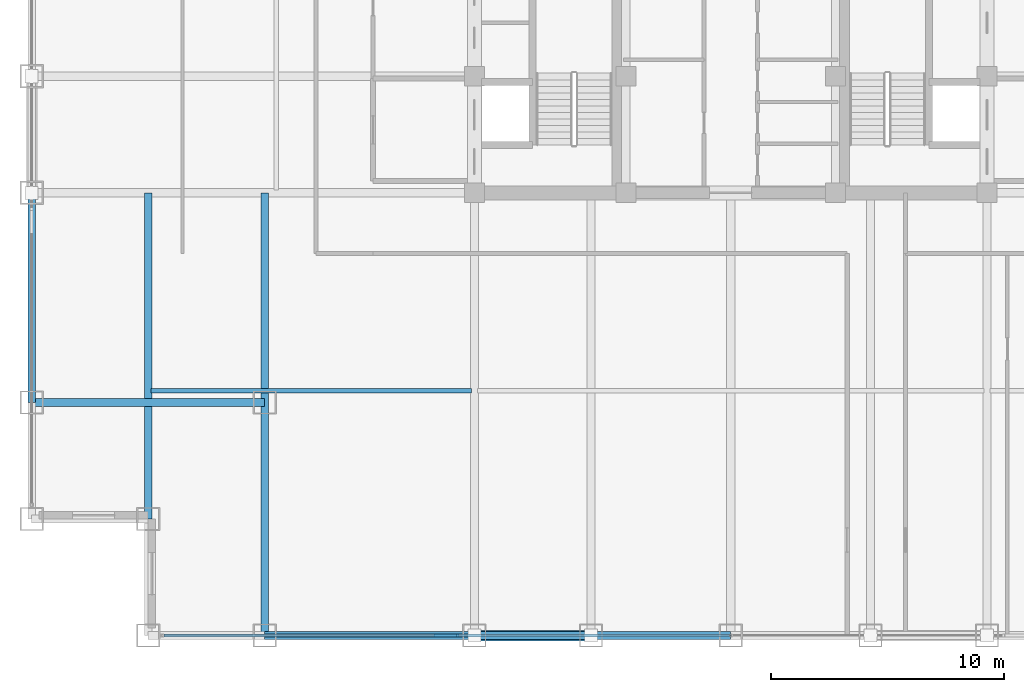
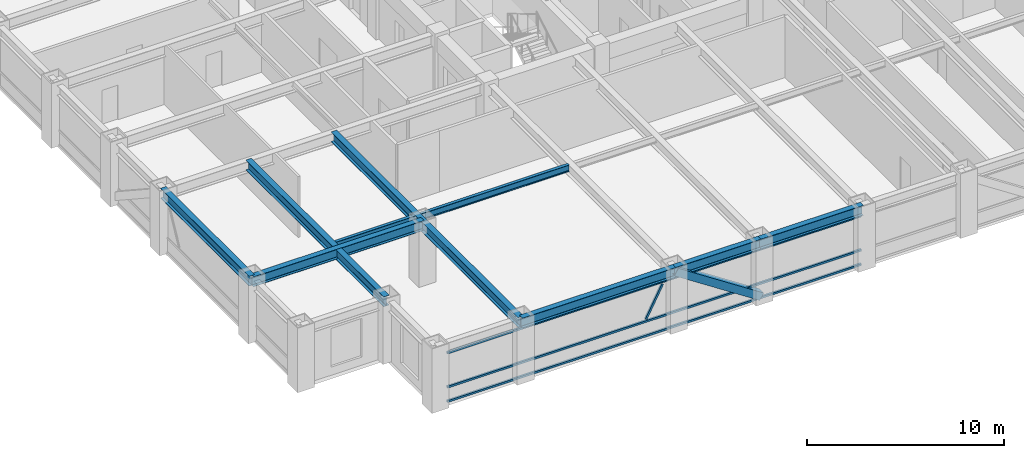
# One storey, part 3 of 25: 8 beams, 5 members, 1 element without a shape of its own.
"""IFC4 building model written with IfcOpenShell, lengths in metres."""

from ifc_helpers import new_model, si_unit, direction, frame, origin, origin_2d, place, context, subcontext, project, spatial, hollow_rectangle, i_section, extrude, source, transform, mapped, material, material_profile, profile_set, type_object, element, aggregate, save


model = new_model("IFC4")

# Units and contexts
model_context = context("Model", 3, precision=1e-05, world=origin(), true_north=direction((0.0, 1.0)))
body_context = subcontext(model_context, "Body", "Model", "MODEL_VIEW")
ifc_project = project(units=[si_unit("LENGTHUNIT", "METRE"), si_unit("AREAUNIT", "SQUARE_METRE"), si_unit("VOLUMEUNIT", "CUBIC_METRE"), si_unit("PLANEANGLEUNIT", "RADIAN"), si_unit("MASSUNIT", "GRAM", prefix="KILO")], contexts=[model_context])

# Site, building, storey
site_placement = place(None, origin())
site = spatial("IfcSite", under=ifc_project, at=site_placement, CompositionType="ELEMENT")
building_placement = place(site_placement, origin())
building = spatial("IfcBuilding", under=site, at=building_placement, Name="Khorayat Bourse Tower", CompositionType="ELEMENT")
storey_placement = place(building_placement, frame((0.0, 0.0, 231.10009765625)))
storey = spatial("IfcBuildingStorey", under=building, at=storey_placement, Name="L54", CompositionType="ELEMENT", Elevation=231.10009765625)

# Beams
ifc_material_1 = material(Name="Steel ASTM A992 Grade 50", Category="steel")
ifc_material_profile_1 = material_profile(ifc_material_1, i_section(OverallWidth=0.324951171875, OverallDepth=0.615966796875, WebThickness=0.013916015625, FlangeThickness=0.021484375, FilletRadius=0.01611328125, at=origin_2d()), Name="W610X174")
ifc_profile_set_1 = profile_set([ifc_material_profile_1], Name="Steel ASTM A992 Grade 50")
beam_type_1 = type_object("IfcBeamType", Name="BM-GIRD-610", PredefinedType="BEAM", material=ifc_profile_set_1)
shared_shape_1 = source(origin(), body_context, "Body", "SweptSolid", [
    extrude(i_section(OverallWidth=0.324951171875, OverallDepth=0.615966796875, WebThickness=0.013916015625, FlangeThickness=0.021484375, FilletRadius=0.01611328125, at=origin_2d()), origin(), (0.0, 0.0, 1.0), 19.0),
])
beam_1_placement = place(storey_placement, frame((-20.0, -30.0, 3.471923828125), z_axis=(0.0, 1.0, 0.0), x_axis=(-1.0, 0.0, 0.0)))
element("IfcBeam", 1, at=beam_1_placement, inside=storey, type_object=beam_type_1, Name="L54 BM-GIRD-610 BM-L54-CNRY-084", PredefinedType="BEAM", context=body_context, shape_type="MappedRepresentation", body=[
    mapped(shared_shape_1, transform((0.0, 0.0, 0.0), scale=1.0)),
])
shared_shape_2 = source(origin(), body_context, "Body", "SweptSolid", [
    extrude(i_section(OverallWidth=0.324951171875, OverallDepth=0.615966796875, WebThickness=0.013916015625, FlangeThickness=0.021484375, FilletRadius=0.01611328125, at=origin_2d()), origin(), (0.0, 0.0, 1.0), 10.0),
])
beam_2_placement = place(storey_placement, frame((-30.0, -20.0, 3.471923828125), z_axis=(1.0, 0.0, 0.0), x_axis=(0.0, 1.0, 0.0)))
element("IfcBeam", 2, at=beam_2_placement, inside=storey, type_object=beam_type_1, Name="L54 BM-GIRD-610 BM-L54-CNRX-093", PredefinedType="BEAM", context=body_context, shape_type="MappedRepresentation", body=[
    mapped(shared_shape_2, transform((0.0, 0.0, 0.0), scale=1.0)),
])
ifc_material_profile_2 = material_profile(ifc_material_1, i_section(OverallWidth=0.324951171875, OverallDepth=0.615966796875, WebThickness=0.013916015625, FlangeThickness=0.021484375, FilletRadius=0.01611328125, at=origin_2d()), Name="W610X174")
ifc_profile_set_2 = profile_set([ifc_material_profile_2], Name="Steel ASTM A992 Grade 50")
beam_type_2 = type_object("IfcBeamType", Name="BM-SPAN-610", PredefinedType="SPANDREL", material=ifc_profile_set_2)
shared_shape_3 = source(origin(), body_context, "Body", "SweptSolid", [
    extrude(i_section(OverallWidth=0.324951171875, OverallDepth=0.615966796875, WebThickness=0.013916015625, FlangeThickness=0.021484375, FilletRadius=0.01611328125, at=origin_2d()), origin(), (0.0, 0.0, 1.0), 9.0),
])
for number, where, z_axis, x_axis, name in (
    (3, (-20.0, -30.0, 3.471923828125), (1.0, 0.0, 0.0), (0.0, 1.0, 0.0), "L54 BM-SPAN-610 BM-L54-SPN-025"),
    (4, (-30.0, -20.0, 3.471923828125), (0.0, 1.0, 0.0), (-1.0, 0.0, 0.0), "L54 BM-SPAN-610 BM-L54-SPN-060"),
):
    element("IfcBeam", number, at=place(storey_placement, frame(where, z_axis=z_axis, x_axis=x_axis)), inside=storey, type_object=beam_type_2, Name=name, PredefinedType="SPANDREL", context=body_context, shape_type="MappedRepresentation", body=[
        mapped(shared_shape_3, transform((0.0, 0.0, 0.0), scale=1.0)),
    ])
shared_shape_4 = source(origin(), body_context, "Body", "SweptSolid", [
    extrude(i_section(OverallWidth=0.324951171875, OverallDepth=0.615966796875, WebThickness=0.013916015625, FlangeThickness=0.021484375, FilletRadius=0.01611328125, at=origin_2d()), origin(), (0.0, 0.0, 1.0), 5.0),
])
beam_3_placement = place(storey_placement, frame((-11.0, -30.0, 3.471923828125), z_axis=(1.0, 0.0, 0.0), x_axis=(0.0, 1.0, 0.0)))
element("IfcBeam", 5, at=beam_3_placement, inside=storey, type_object=beam_type_2, Name="L54 BM-SPAN-610 BM-L54-SPN-026", PredefinedType="SPANDREL", context=body_context, shape_type="MappedRepresentation", body=[
    mapped(shared_shape_4, transform((0.0, 0.0, 0.0), scale=1.0)),
])
shared_shape_5 = source(origin(), body_context, "Body", "SweptSolid", [
    extrude(i_section(OverallWidth=0.324951171875, OverallDepth=0.615966796875, WebThickness=0.013916015625, FlangeThickness=0.021484375, FilletRadius=0.01611328125, at=origin_2d()), origin(), (0.0, 0.0, 1.0), 6.0),
])
beam_4_placement = place(storey_placement, frame((-6.0, -30.0, 3.471923828125), z_axis=(1.0, 0.0, 0.0), x_axis=(0.0, 1.0, 0.0)))
element("IfcBeam", 6, at=beam_4_placement, inside=storey, type_object=beam_type_2, Name="L54 BM-SPAN-610 BM-L54-SPN-027", PredefinedType="SPANDREL", context=body_context, shape_type="MappedRepresentation", body=[
    mapped(shared_shape_5, transform((0.0, 0.0, 0.0), scale=1.0)),
])
shared_shape_6 = source(origin(), body_context, "Body", "SweptSolid", [
    extrude(i_section(OverallWidth=0.324951171875, OverallDepth=0.615966796875, WebThickness=0.013916015625, FlangeThickness=0.021484375, FilletRadius=0.01611328125, at=origin_2d()), origin(), (0.0, 0.0, 1.0), 14.0),
])
beam_5_placement = place(storey_placement, frame((-25.0, -25.0, 3.471923828125), z_axis=(0.0, 1.0, 0.0), x_axis=(-1.0, 0.0, 0.0)))
element("IfcBeam", 7, at=beam_5_placement, inside=storey, type_object=beam_type_1, Name="L54 BM-GIRD-610 BM-L54-CNRY-088", PredefinedType="BEAM", context=body_context, shape_type="MappedRepresentation", body=[
    mapped(shared_shape_6, transform((0.0, 0.0, 0.0), scale=1.0)),
])
ifc_material_profile_3 = material_profile(ifc_material_1, i_section(OverallWidth=0.180908203125, OverallDepth=0.4169921875, WebThickness=0.010986328125, FlangeThickness=0.018310546875, FilletRadius=0.011962890625, at=origin_2d()), Name="W410X85")
ifc_profile_set_3 = profile_set([ifc_material_profile_3], Name="Steel ASTM A992 Grade 50")
beam_type_3 = type_object("IfcBeamType", Name="BM-JOIST-410", PredefinedType="JOIST", material=ifc_profile_set_3)
shared_shape_7 = source(origin(), body_context, "Body", "SweptSolid", [
    extrude(i_section(OverallWidth=0.180908203125, OverallDepth=0.4169921875, WebThickness=0.010986328125, FlangeThickness=0.018310546875, FilletRadius=0.011962890625, at=origin_2d()), origin(), (0.0, 0.0, 1.0), 13.740234375),
])
beam_6_placement = place(storey_placement, frame((-24.8701171875, -19.5, 3.5712890625), z_axis=(1.0, 0.0, 0.0), x_axis=(0.0, 1.0, 0.0)))
element("IfcBeam", 8, at=beam_6_placement, inside=storey, type_object=beam_type_3, Name="L54 BM-JOIST-410 BM-L54-JSTX-096", PredefinedType="JOIST", context=body_context, shape_type="MappedRepresentation", body=[
    mapped(shared_shape_7, transform((0.0, 0.0, 0.0), scale=1.0)),
])

# Member
ifc_material_2 = material(Name="Steel EN 10025-4 S460M", Category="steel")
ifc_material_profile_4 = material_profile(ifc_material_2, hollow_rectangle(XDim=0.449951171875, YDim=0.449951171875, WallThickness=0.02490234375, at=origin_2d()), Name="HSS 450x450x25")
ifc_profile_set_4 = profile_set([ifc_material_profile_4], Name="Steel EN 10025-4 S460M")
member_type_1 = type_object("IfcMemberType", Name="MBR-TUBE-450", PredefinedType="BRACE", material=ifc_profile_set_4)
shared_shape_8 = source(origin(), body_context, "Body", "SweptSolid", [
    extrude(hollow_rectangle(XDim=0.449951171875, YDim=0.449951171875, WallThickness=0.02490234375, at=origin_2d()), origin(), (0.0, 0.0, 1.0), 5.979736328125),
])
member_1_placement = place(storey_placement, frame((-11.0, -30.0, 3.52978515625), z_axis=(0.836160261256, 0.0, -0.548485202623), x_axis=(0.0, 1.0, 0.0)))
element("IfcMember", 9, at=member_1_placement, inside=storey, type_object=member_type_1, Name="L54 Perimeter Tube Brace 01", PredefinedType="BRACE", context=body_context, shape_type="MappedRepresentation", body=[
    mapped(shared_shape_8, transform((0.0, 0.0, 0.0), scale=1.0)),
])

# Curtain wall, members
ifc_material_3 = material(Name="Aluminium EN AW-6063 T6", Category="aluminium")
curtain_wall_type = type_object("IfcCurtainWallType", Name="CW-SYS-03", PredefinedType="NOTDEFINED", material=ifc_material_3)
curtain_wall_placement = place(storey_placement, origin())
curtain_wall = element("IfcCurtainWall", 10, at=curtain_wall_placement, inside=storey, type_object=curtain_wall_type, Name="L54 Curtain Wall CW-L54-S1", PredefinedType="NOTDEFINED")
ifc_material_profile_5 = material_profile(ifc_material_3, hollow_rectangle(XDim=0.1201171875, YDim=0.1201171875, WallThickness=0.0048828125, at=origin_2d()), Name="ALU 120x120x5")
ifc_profile_set_5 = profile_set([ifc_material_profile_5], Name="Aluminium EN AW-6063 T6")
member_type_2 = type_object("IfcMemberType", Name="CWM-DIAG-120", PredefinedType="MULLION", material=ifc_profile_set_5)
shared_shape_9 = source(origin(), body_context, "Body", "SweptSolid", [
    extrude(hollow_rectangle(XDim=0.1201171875, YDim=0.1201171875, WallThickness=0.0048828125, at=origin_2d()), origin(), (0.0, 0.0, 1.0), 2.079345703125),
])
member_2_placement = place(storey_placement, frame((-12.67919921875, -30.0, 1.08984375), z_axis=(0.465760949701, 0.0, 0.884910581773), x_axis=(0.0, 1.0, 0.0)))
member_2 = element("IfcMember", 11, at=member_2_placement, type_object=member_type_2, Name="CW-L54-S1 Faceted Diagonal Mullion 1", PredefinedType="MULLION", context=body_context, shape_type="MappedRepresentation", body=[
    mapped(shared_shape_9, transform((0.0, 0.0, 0.0), scale=1.0)),
])
ifc_material_profile_6 = material_profile(ifc_material_3, hollow_rectangle(XDim=0.1201171875, YDim=0.1201171875, WallThickness=0.0048828125, at=origin_2d()), Name="ALU 120x120x5")
ifc_profile_set_6 = profile_set([ifc_material_profile_6], Name="Aluminium EN AW-6063 T6")
member_type_3 = type_object("IfcMemberType", Name="CWT-HORZ-120", PredefinedType="USERDEFINED", material=ifc_profile_set_6)
shared_shape_10 = source(origin(), body_context, "Body", "SweptSolid", [
    extrude(hollow_rectangle(XDim=0.1201171875, YDim=0.1201171875, WallThickness=0.0048828125, at=origin_2d()), origin(), (0.0, 0.0, 1.0), 24.27001953125),
])
member_3_placement = place(storey_placement, frame((-24.330078125, -30.0, 0.059814453125), z_axis=(1.0, 0.0, 0.0), x_axis=(0.0, 1.0, 0.0)))
member_3 = element("IfcMember", 12, at=member_3_placement, type_object=member_type_3, Name="CW-L54-S1 Horizontal Transom 1-1", ObjectType="TRANSOM", PredefinedType="USERDEFINED", context=body_context, shape_type="MappedRepresentation", body=[
    mapped(shared_shape_10, transform((0.0, 0.0, 0.0), scale=1.0)),
])
member_4_placement = place(storey_placement, frame((-24.330078125, -30.0, 0.949951171875), z_axis=(1.0, 0.0, 0.0), x_axis=(0.0, 1.0, 0.0)))
member_4 = element("IfcMember", 13, at=member_4_placement, type_object=member_type_3, Name="CW-L54-S1 Horizontal Transom 1-2", ObjectType="TRANSOM", PredefinedType="USERDEFINED", context=body_context, shape_type="MappedRepresentation", body=[
    mapped(shared_shape_10, transform((0.0, 0.0, 0.0), scale=1.0)),
])
member_5_placement = place(storey_placement, frame((-24.330078125, -30.0, 3.06982421875), z_axis=(1.0, 0.0, 0.0), x_axis=(0.0, 1.0, 0.0)))
member_5 = element("IfcMember", 14, at=member_5_placement, type_object=member_type_3, Name="CW-L54-S1 Horizontal Transom 1-3", ObjectType="TRANSOM", PredefinedType="USERDEFINED", context=body_context, shape_type="MappedRepresentation", body=[
    mapped(shared_shape_10, transform((0.0, 0.0, 0.0), scale=1.0)),
])
aggregate(curtain_wall, [member_3, member_4, member_5, member_2])

save(model, "model.ifc")
